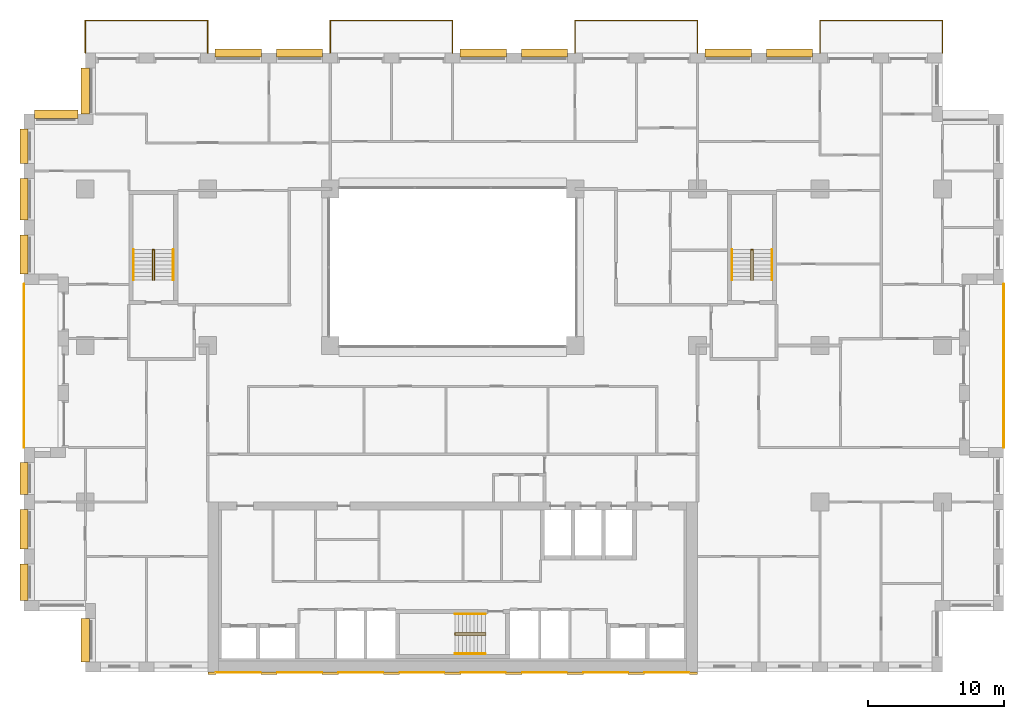
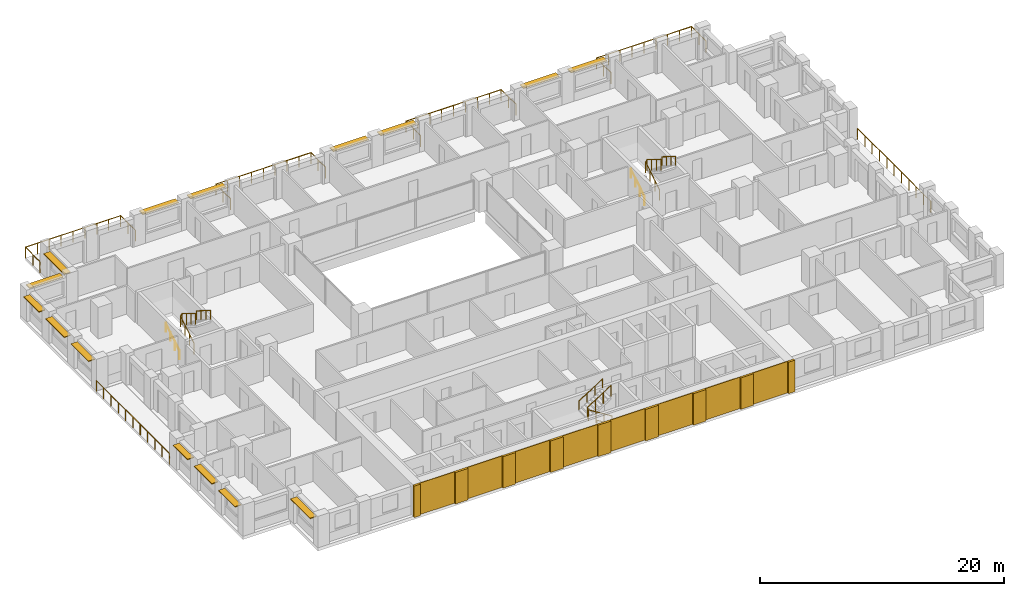
# One storey, part 16 of 17: 17 coverings, 15 railings, 15 shading devices.
"""IFC4 building model written with IfcOpenShell, lengths in metres."""

from ifc_helpers import new_model, si_unit, direction, frame, origin, origin_2d, place, context, subcontext, project, spatial, rectangle, circle, extrude, material, layer, layer_set, type_object, element, save


model = new_model("IFC4")

# Units and contexts
model_context = context("Model", 3, precision=1e-05, world=origin(), true_north=direction((0.0, 1.0)))
body_context = subcontext(model_context, "Body", "Model", "MODEL_VIEW")
ifc_project = project(units=[si_unit("LENGTHUNIT", "METRE"), si_unit("AREAUNIT", "SQUARE_METRE"), si_unit("VOLUMEUNIT", "CUBIC_METRE"), si_unit("PLANEANGLEUNIT", "RADIAN"), si_unit("MASSUNIT", "GRAM", prefix="KILO")], contexts=[model_context])

# Site, building, storey
site_placement = place(None, origin())
site = spatial("IfcSite", under=ifc_project, at=site_placement, CompositionType="ELEMENT")
building_placement = place(site_placement, origin())
building = spatial("IfcBuilding", under=site, at=building_placement, Name="Brigalow Station Residences", CompositionType="ELEMENT")
storey_placement = place(building_placement, frame((0.0, 0.0, 111.89990234375)))
storey = spatial("IfcBuildingStorey", under=building, at=storey_placement, Name="L32", CompositionType="ELEMENT", Elevation=111.89990234375)

# Railings
ifc_material_1 = material(Name="Stainless steel balustrade with laminated glass infill", Category="steel")
railing_type_1 = type_object("IfcRailingType", Name="BALCONY GUARD 1100", PredefinedType="GUARDRAIL", material=ifc_material_1)
railing_1_placement = place(storey_placement, frame((76.5, 16.5, -0.039794921875)))
element("IfcRailing", 1, at=railing_1_placement, inside=storey, type_object=railing_type_1, Name="L32/balcony-guard/1", PredefinedType="GUARDRAIL", context=body_context, shape_type="SweptSolid", body=[
    extrude(circle(Radius=0.02392578125, at=origin_2d()), frame((0.0, 0.0, 1.076171875), z_axis=(0.0, 1.0, 0.0), x_axis=(-1.0, 0.0, 0.0)), (0.0, 0.0, 1.0), 12.0),
    extrude(circle(Radius=0.02099609375, at=origin_2d()), origin(), (0.0, 0.0, 1.0), 1.052001953125),
    extrude(circle(Radius=0.02099609375, at=origin_2d()), frame((0.0, 1.199951171875, 0.0)), (0.0, 0.0, 1.0), 1.052001953125),
    extrude(circle(Radius=0.02099609375, at=origin_2d()), frame((0.0, 2.39990234375, 0.0)), (0.0, 0.0, 1.0), 1.052001953125),
    extrude(circle(Radius=0.02099609375, at=origin_2d()), frame((0.0, 3.60009765625, 0.0)), (0.0, 0.0, 1.0), 1.052001953125),
    extrude(circle(Radius=0.02099609375, at=origin_2d()), frame((0.0, 4.800048828125, 0.0)), (0.0, 0.0, 1.0), 1.052001953125),
    extrude(circle(Radius=0.02099609375, at=origin_2d()), frame((0.0, 6.0, 0.0)), (0.0, 0.0, 1.0), 1.052001953125),
    extrude(circle(Radius=0.02099609375, at=origin_2d()), frame((0.0, 7.199951171875, 0.0)), (0.0, 0.0, 1.0), 1.052001953125),
    extrude(circle(Radius=0.02099609375, at=origin_2d()), frame((0.0, 8.39990234375, 0.0)), (0.0, 0.0, 1.0), 1.052001953125),
    extrude(circle(Radius=0.02099609375, at=origin_2d()), frame((0.0, 9.60009765625, 0.0)), (0.0, 0.0, 1.0), 1.052001953125),
    extrude(circle(Radius=0.02099609375, at=origin_2d()), frame((0.0, 10.800048828125, 0.0)), (0.0, 0.0, 1.0), 1.052001953125),
    extrude(circle(Radius=0.02099609375, at=origin_2d()), frame((0.0, 12.0, 0.0)), (0.0, 0.0, 1.0), 1.052001953125),
])
railing_2_placement = place(storey_placement, frame((72.0, 45.5, -0.039794921875)))
element("IfcRailing", 2, at=railing_2_placement, inside=storey, type_object=railing_type_1, Name="L32/balcony-guard/2", PredefinedType="GUARDRAIL", context=body_context, shape_type="SweptSolid", body=[
    extrude(circle(Radius=0.02392578125, at=origin_2d()), frame((0.0, 0.0, 1.076171875), z_axis=(0.0, 1.0, 0.0), x_axis=(-1.0, 0.0, 0.0)), (0.0, 0.0, 1.0), 2.39990234375),
    extrude(circle(Radius=0.02392578125, at=origin_2d()), frame((0.0, 2.39990234375, 1.076171875), z_axis=(-1.0, 0.0, 0.0), x_axis=(0.0, -1.0, 0.0)), (0.0, 0.0, 1.0), 9.0),
    extrude(circle(Radius=0.02392578125, at=origin_2d()), frame((-9.0, 2.39990234375, 1.076171875), z_axis=(0.0, -1.0, 0.0), x_axis=(1.0, 0.0, 0.0)), (0.0, 0.0, 1.0), 2.39990234375),
    extrude(circle(Radius=0.02099609375, at=origin_2d()), origin(), (0.0, 0.0, 1.0), 1.052001953125),
    extrude(circle(Radius=0.02099609375, at=origin_2d()), frame((0.0, 1.199951171875, 0.0)), (0.0, 0.0, 1.0), 1.052001953125),
    extrude(circle(Radius=0.02099609375, at=origin_2d()), frame((0.0, 2.39990234375, 0.0)), (0.0, 0.0, 1.0), 1.052001953125),
    extrude(circle(Radius=0.02099609375, at=origin_2d()), frame((-1.125, 2.39990234375, 0.0)), (0.0, 0.0, 1.0), 1.052001953125),
    extrude(circle(Radius=0.02099609375, at=origin_2d()), frame((-2.25, 2.39990234375, 0.0)), (0.0, 0.0, 1.0), 1.052001953125),
    extrude(circle(Radius=0.02099609375, at=origin_2d()), frame((-3.375, 2.39990234375, 0.0)), (0.0, 0.0, 1.0), 1.052001953125),
    extrude(circle(Radius=0.02099609375, at=origin_2d()), frame((-4.5, 2.39990234375, 0.0)), (0.0, 0.0, 1.0), 1.052001953125),
    extrude(circle(Radius=0.02099609375, at=origin_2d()), frame((-5.625, 2.39990234375, 0.0)), (0.0, 0.0, 1.0), 1.052001953125),
    extrude(circle(Radius=0.02099609375, at=origin_2d()), frame((-6.75, 2.39990234375, 0.0)), (0.0, 0.0, 1.0), 1.052001953125),
    extrude(circle(Radius=0.02099609375, at=origin_2d()), frame((-7.875, 2.39990234375, 0.0)), (0.0, 0.0, 1.0), 1.052001953125),
    extrude(circle(Radius=0.02099609375, at=origin_2d()), frame((-9.0, 2.39990234375, 0.0)), (0.0, 0.0, 1.0), 1.052001953125),
    extrude(circle(Radius=0.02099609375, at=origin_2d()), frame((-9.0, 1.199951171875, 0.0)), (0.0, 0.0, 1.0), 1.052001953125),
    extrude(circle(Radius=0.02099609375, at=origin_2d()), frame((-9.0, 0.0, 0.0)), (0.0, 0.0, 1.0), 1.052001953125),
])
railing_3_placement = place(storey_placement, frame((54.0, 45.5, -0.039794921875)))
element("IfcRailing", 3, at=railing_3_placement, inside=storey, type_object=railing_type_1, Name="L32/balcony-guard/3", PredefinedType="GUARDRAIL", context=body_context, shape_type="SweptSolid", body=[
    extrude(circle(Radius=0.02392578125, at=origin_2d()), frame((0.0, 0.0, 1.076171875), z_axis=(0.0, 1.0, 0.0), x_axis=(-1.0, 0.0, 0.0)), (0.0, 0.0, 1.0), 2.39990234375),
    extrude(circle(Radius=0.02392578125, at=origin_2d()), frame((0.0, 2.39990234375, 1.076171875), z_axis=(-1.0, 0.0, 0.0), x_axis=(0.0, -1.0, 0.0)), (0.0, 0.0, 1.0), 9.0),
    extrude(circle(Radius=0.02392578125, at=origin_2d()), frame((-9.0, 2.39990234375, 1.076171875), z_axis=(0.0, -1.0, 0.0), x_axis=(1.0, 0.0, 0.0)), (0.0, 0.0, 1.0), 2.39990234375),
    extrude(circle(Radius=0.02099609375, at=origin_2d()), origin(), (0.0, 0.0, 1.0), 1.052001953125),
    extrude(circle(Radius=0.02099609375, at=origin_2d()), frame((0.0, 1.199951171875, 0.0)), (0.0, 0.0, 1.0), 1.052001953125),
    extrude(circle(Radius=0.02099609375, at=origin_2d()), frame((0.0, 2.39990234375, 0.0)), (0.0, 0.0, 1.0), 1.052001953125),
    extrude(circle(Radius=0.02099609375, at=origin_2d()), frame((-1.125, 2.39990234375, 0.0)), (0.0, 0.0, 1.0), 1.052001953125),
    extrude(circle(Radius=0.02099609375, at=origin_2d()), frame((-2.25, 2.39990234375, 0.0)), (0.0, 0.0, 1.0), 1.052001953125),
    extrude(circle(Radius=0.02099609375, at=origin_2d()), frame((-3.375, 2.39990234375, 0.0)), (0.0, 0.0, 1.0), 1.052001953125),
    extrude(circle(Radius=0.02099609375, at=origin_2d()), frame((-4.5, 2.39990234375, 0.0)), (0.0, 0.0, 1.0), 1.052001953125),
    extrude(circle(Radius=0.02099609375, at=origin_2d()), frame((-5.625, 2.39990234375, 0.0)), (0.0, 0.0, 1.0), 1.052001953125),
    extrude(circle(Radius=0.02099609375, at=origin_2d()), frame((-6.75, 2.39990234375, 0.0)), (0.0, 0.0, 1.0), 1.052001953125),
    extrude(circle(Radius=0.02099609375, at=origin_2d()), frame((-7.875, 2.39990234375, 0.0)), (0.0, 0.0, 1.0), 1.052001953125),
    extrude(circle(Radius=0.02099609375, at=origin_2d()), frame((-9.0, 2.39990234375, 0.0)), (0.0, 0.0, 1.0), 1.052001953125),
    extrude(circle(Radius=0.02099609375, at=origin_2d()), frame((-9.0, 1.199951171875, 0.0)), (0.0, 0.0, 1.0), 1.052001953125),
    extrude(circle(Radius=0.02099609375, at=origin_2d()), frame((-9.0, 0.0, 0.0)), (0.0, 0.0, 1.0), 1.052001953125),
])
railing_4_placement = place(storey_placement, frame((36.0, 45.5, -0.039794921875)))
element("IfcRailing", 4, at=railing_4_placement, inside=storey, type_object=railing_type_1, Name="L32/balcony-guard/4", PredefinedType="GUARDRAIL", context=body_context, shape_type="SweptSolid", body=[
    extrude(circle(Radius=0.02392578125, at=origin_2d()), frame((0.0, 0.0, 1.076171875), z_axis=(0.0, 1.0, 0.0), x_axis=(-1.0, 0.0, 0.0)), (0.0, 0.0, 1.0), 2.39990234375),
    extrude(circle(Radius=0.02392578125, at=origin_2d()), frame((0.0, 2.39990234375, 1.076171875), z_axis=(-1.0, 0.0, 0.0), x_axis=(0.0, -1.0, 0.0)), (0.0, 0.0, 1.0), 9.0),
    extrude(circle(Radius=0.02392578125, at=origin_2d()), frame((-9.0, 2.39990234375, 1.076171875), z_axis=(0.0, -1.0, 0.0), x_axis=(1.0, 0.0, 0.0)), (0.0, 0.0, 1.0), 2.39990234375),
    extrude(circle(Radius=0.02099609375, at=origin_2d()), origin(), (0.0, 0.0, 1.0), 1.052001953125),
    extrude(circle(Radius=0.02099609375, at=origin_2d()), frame((0.0, 1.199951171875, 0.0)), (0.0, 0.0, 1.0), 1.052001953125),
    extrude(circle(Radius=0.02099609375, at=origin_2d()), frame((0.0, 2.39990234375, 0.0)), (0.0, 0.0, 1.0), 1.052001953125),
    extrude(circle(Radius=0.02099609375, at=origin_2d()), frame((-1.125, 2.39990234375, 0.0)), (0.0, 0.0, 1.0), 1.052001953125),
    extrude(circle(Radius=0.02099609375, at=origin_2d()), frame((-2.25, 2.39990234375, 0.0)), (0.0, 0.0, 1.0), 1.052001953125),
    extrude(circle(Radius=0.02099609375, at=origin_2d()), frame((-3.375, 2.39990234375, 0.0)), (0.0, 0.0, 1.0), 1.052001953125),
    extrude(circle(Radius=0.02099609375, at=origin_2d()), frame((-4.5, 2.39990234375, 0.0)), (0.0, 0.0, 1.0), 1.052001953125),
    extrude(circle(Radius=0.02099609375, at=origin_2d()), frame((-5.625, 2.39990234375, 0.0)), (0.0, 0.0, 1.0), 1.052001953125),
    extrude(circle(Radius=0.02099609375, at=origin_2d()), frame((-6.75, 2.39990234375, 0.0)), (0.0, 0.0, 1.0), 1.052001953125),
    extrude(circle(Radius=0.02099609375, at=origin_2d()), frame((-7.875, 2.39990234375, 0.0)), (0.0, 0.0, 1.0), 1.052001953125),
    extrude(circle(Radius=0.02099609375, at=origin_2d()), frame((-9.0, 2.39990234375, 0.0)), (0.0, 0.0, 1.0), 1.052001953125),
    extrude(circle(Radius=0.02099609375, at=origin_2d()), frame((-9.0, 1.199951171875, 0.0)), (0.0, 0.0, 1.0), 1.052001953125),
    extrude(circle(Radius=0.02099609375, at=origin_2d()), frame((-9.0, 0.0, 0.0)), (0.0, 0.0, 1.0), 1.052001953125),
])
railing_5_placement = place(storey_placement, frame((18.0, 45.5, -0.039794921875)))
element("IfcRailing", 5, at=railing_5_placement, inside=storey, type_object=railing_type_1, Name="L32/balcony-guard/5", PredefinedType="GUARDRAIL", context=body_context, shape_type="SweptSolid", body=[
    extrude(circle(Radius=0.02392578125, at=origin_2d()), frame((0.0, 0.0, 1.076171875), z_axis=(0.0, 1.0, 0.0), x_axis=(-1.0, 0.0, 0.0)), (0.0, 0.0, 1.0), 2.39990234375),
    extrude(circle(Radius=0.02392578125, at=origin_2d()), frame((0.0, 2.39990234375, 1.076171875), z_axis=(-1.0, 0.0, 0.0), x_axis=(0.0, -1.0, 0.0)), (0.0, 0.0, 1.0), 9.0),
    extrude(circle(Radius=0.02392578125, at=origin_2d()), frame((-9.0, 2.39990234375, 1.076171875), z_axis=(0.0, -1.0, 0.0), x_axis=(1.0, 0.0, 0.0)), (0.0, 0.0, 1.0), 2.39990234375),
    extrude(circle(Radius=0.02099609375, at=origin_2d()), origin(), (0.0, 0.0, 1.0), 1.052001953125),
    extrude(circle(Radius=0.02099609375, at=origin_2d()), frame((0.0, 1.199951171875, 0.0)), (0.0, 0.0, 1.0), 1.052001953125),
    extrude(circle(Radius=0.02099609375, at=origin_2d()), frame((0.0, 2.39990234375, 0.0)), (0.0, 0.0, 1.0), 1.052001953125),
    extrude(circle(Radius=0.02099609375, at=origin_2d()), frame((-1.125, 2.39990234375, 0.0)), (0.0, 0.0, 1.0), 1.052001953125),
    extrude(circle(Radius=0.02099609375, at=origin_2d()), frame((-2.25, 2.39990234375, 0.0)), (0.0, 0.0, 1.0), 1.052001953125),
    extrude(circle(Radius=0.02099609375, at=origin_2d()), frame((-3.375, 2.39990234375, 0.0)), (0.0, 0.0, 1.0), 1.052001953125),
    extrude(circle(Radius=0.02099609375, at=origin_2d()), frame((-4.5, 2.39990234375, 0.0)), (0.0, 0.0, 1.0), 1.052001953125),
    extrude(circle(Radius=0.02099609375, at=origin_2d()), frame((-5.625, 2.39990234375, 0.0)), (0.0, 0.0, 1.0), 1.052001953125),
    extrude(circle(Radius=0.02099609375, at=origin_2d()), frame((-6.75, 2.39990234375, 0.0)), (0.0, 0.0, 1.0), 1.052001953125),
    extrude(circle(Radius=0.02099609375, at=origin_2d()), frame((-7.875, 2.39990234375, 0.0)), (0.0, 0.0, 1.0), 1.052001953125),
    extrude(circle(Radius=0.02099609375, at=origin_2d()), frame((-9.0, 2.39990234375, 0.0)), (0.0, 0.0, 1.0), 1.052001953125),
    extrude(circle(Radius=0.02099609375, at=origin_2d()), frame((-9.0, 1.199951171875, 0.0)), (0.0, 0.0, 1.0), 1.052001953125),
    extrude(circle(Radius=0.02099609375, at=origin_2d()), frame((-9.0, 0.0, 0.0)), (0.0, 0.0, 1.0), 1.052001953125),
])
railing_6_placement = place(storey_placement, frame((4.5, 28.5, -0.039794921875)))
element("IfcRailing", 6, at=railing_6_placement, inside=storey, type_object=railing_type_1, Name="L32/balcony-guard/6", PredefinedType="GUARDRAIL", context=body_context, shape_type="SweptSolid", body=[
    extrude(circle(Radius=0.02392578125, at=origin_2d()), frame((0.0, 0.0, 1.076171875), z_axis=(0.0, -1.0, 0.0), x_axis=(1.0, 0.0, 0.0)), (0.0, 0.0, 1.0), 12.0),
    extrude(circle(Radius=0.02099609375, at=origin_2d()), origin(), (0.0, 0.0, 1.0), 1.052001953125),
    extrude(circle(Radius=0.02099609375, at=origin_2d()), frame((0.0, -1.199951171875, 0.0)), (0.0, 0.0, 1.0), 1.052001953125),
    extrude(circle(Radius=0.02099609375, at=origin_2d()), frame((0.0, -2.39990234375, 0.0)), (0.0, 0.0, 1.0), 1.052001953125),
    extrude(circle(Radius=0.02099609375, at=origin_2d()), frame((0.0, -3.60009765625, 0.0)), (0.0, 0.0, 1.0), 1.052001953125),
    extrude(circle(Radius=0.02099609375, at=origin_2d()), frame((0.0, -4.800048828125, 0.0)), (0.0, 0.0, 1.0), 1.052001953125),
    extrude(circle(Radius=0.02099609375, at=origin_2d()), frame((0.0, -6.0, 0.0)), (0.0, 0.0, 1.0), 1.052001953125),
    extrude(circle(Radius=0.02099609375, at=origin_2d()), frame((0.0, -7.199951171875, 0.0)), (0.0, 0.0, 1.0), 1.052001953125),
    extrude(circle(Radius=0.02099609375, at=origin_2d()), frame((0.0, -8.39990234375, 0.0)), (0.0, 0.0, 1.0), 1.052001953125),
    extrude(circle(Radius=0.02099609375, at=origin_2d()), frame((0.0, -9.60009765625, 0.0)), (0.0, 0.0, 1.0), 1.052001953125),
    extrude(circle(Radius=0.02099609375, at=origin_2d()), frame((0.0, -10.800048828125, 0.0)), (0.0, 0.0, 1.0), 1.052001953125),
    extrude(circle(Radius=0.02099609375, at=origin_2d()), frame((0.0, -12.0, 0.0)), (0.0, 0.0, 1.0), 1.052001953125),
])

# Coverings
ifc_material_2 = material(Name="Clay brick masonry", Category="masonry")
ifc_layer_1 = layer(ifc_material_2, 0.06005859375)
ifc_layer_set_1 = layer_set([ifc_layer_1], Name="BRICK PANEL FACING 60")
covering_type_1 = type_object("IfcCoveringType", Name="BRICK PANEL FACING 60", PredefinedType="CLADDING", material=ifc_layer_set_1)
for number, where, z_axis, x_axis, name in (
    (7, (20.25, -0.030029296875, 0.000244140625), (0.0, 0.0, 1.0), (1.0, 0.0, 0.0), "L32/rear-facing/panel-1"),
    (8, (24.75, -0.030029296875, 0.000244140625), (0.0, 0.0, 1.0), (1.0, 0.0, 0.0), "L32/rear-facing/panel-2"),
    (9, (29.25, -0.030029296875, 0.000244140625), (0.0, 0.0, 1.0), (1.0, 0.0, 0.0), "L32/rear-facing/panel-3"),
    (10, (33.75, -0.030029296875, 0.000244140625), (0.0, 0.0, 1.0), (1.0, 0.0, 0.0), "L32/rear-facing/panel-4"),
    (11, (38.25, -0.030029296875, 0.000244140625), (0.0, 0.0, 1.0), (1.0, 0.0, 0.0), "L32/rear-facing/panel-5"),
    (12, (42.75, -0.030029296875, 0.000244140625), (0.0, 0.0, 1.0), (1.0, 0.0, 0.0), "L32/rear-facing/panel-6"),
    (13, (47.25, -0.030029296875, 0.000244140625), (0.0, 0.0, 1.0), (1.0, 0.0, 0.0), "L32/rear-facing/panel-7"),
    (14, (51.75, -0.030029296875, 0.000244140625), (0.0, 0.0, 1.0), (1.0, 0.0, 0.0), "L32/rear-facing/panel-8"),
):
    element("IfcCovering", number, at=place(storey_placement, frame(where, z_axis=z_axis, x_axis=x_axis)), inside=storey, type_object=covering_type_1, Name=name, PredefinedType="CLADDING", context=body_context, shape_type="SweptSolid", body=[
        extrude(rectangle(XDim=3.300048828125, YDim=0.06005859375, at=origin_2d()), origin(), (0.0, 0.0, 1.0), 3.14990234375),
    ])
ifc_material_3 = material(Name="Clay brick masonry", Category="masonry")
ifc_layer_2 = layer(ifc_material_3, 0.199951171875)
ifc_layer_set_2 = layer_set([ifc_layer_2], Name="BRICK PIER FACING 200")
covering_type_2 = type_object("IfcCoveringType", Name="BRICK PIER FACING 200", PredefinedType="CLADDING", material=ifc_layer_set_2)
covering_1_placement = place(storey_placement, frame((18.300048828125, -0.10009765625, 0.000244140625), z_axis=(0.0, 0.0, 1.0), x_axis=(1.0, 0.0, 0.0)))
element("IfcCovering", 15, at=covering_1_placement, inside=storey, type_object=covering_type_2, Name="L32/rear-facing/pier-1", PredefinedType="CLADDING", context=body_context, shape_type="SweptSolid", body=[
    extrude(rectangle(XDim=0.60009765625, YDim=0.199951171875, at=origin_2d()), origin(), (0.0, 0.0, 1.0), 3.14990234375),
])
for number, where, z_axis, x_axis, name in (
    (16, (22.5, -0.10009765625, 0.000244140625), (0.0, 0.0, 1.0), (1.0, 0.0, 0.0), "L32/rear-facing/pier-2"),
    (17, (27.0, -0.10009765625, 0.000244140625), (0.0, 0.0, 1.0), (1.0, 0.0, 0.0), "L32/rear-facing/pier-3"),
    (18, (31.5, -0.10009765625, 0.000244140625), (0.0, 0.0, 1.0), (1.0, 0.0, 0.0), "L32/rear-facing/pier-4"),
    (19, (36.0, -0.10009765625, 0.000244140625), (0.0, 0.0, 1.0), (1.0, 0.0, 0.0), "L32/rear-facing/pier-5"),
    (20, (40.5, -0.10009765625, 0.000244140625), (0.0, 0.0, 1.0), (1.0, 0.0, 0.0), "L32/rear-facing/pier-6"),
    (21, (45.0, -0.10009765625, 0.000244140625), (0.0, 0.0, 1.0), (1.0, 0.0, 0.0), "L32/rear-facing/pier-7"),
    (22, (49.5, -0.10009765625, 0.000244140625), (0.0, 0.0, 1.0), (1.0, 0.0, 0.0), "L32/rear-facing/pier-8"),
):
    element("IfcCovering", number, at=place(storey_placement, frame(where, z_axis=z_axis, x_axis=x_axis)), inside=storey, type_object=covering_type_2, Name=name, PredefinedType="CLADDING", context=body_context, shape_type="SweptSolid", body=[
        extrude(rectangle(XDim=1.199951171875, YDim=0.199951171875, at=origin_2d()), origin(), (0.0, 0.0, 1.0), 3.14990234375),
    ])
covering_2_placement = place(storey_placement, frame((53.699951171875, -0.10009765625, 0.000244140625), z_axis=(0.0, 0.0, 1.0), x_axis=(1.0, 0.0, 0.0)))
element("IfcCovering", 23, at=covering_2_placement, inside=storey, type_object=covering_type_2, Name="L32/rear-facing/pier-9", PredefinedType="CLADDING", context=body_context, shape_type="SweptSolid", body=[
    extrude(rectangle(XDim=0.60009765625, YDim=0.199951171875, at=origin_2d()), origin(), (0.0, 0.0, 1.0), 3.14990234375),
])

# Railings
ifc_material_4 = material(Name="Stainless steel balustrade", Category="steel")
railing_type_2 = type_object("IfcRailingType", Name="STAIR GUARD 1100", PredefinedType="GUARDRAIL", material=ifc_material_4)
railing_7_placement = place(storey_placement, frame((38.39990234375, 2.72998046875, 0.175048828125)))
element("IfcRailing", 24, at=railing_7_placement, inside=storey, type_object=railing_type_2, Name="GUARD GR-2", PredefinedType="GUARDRAIL", context=body_context, shape_type="SweptSolid", body=[
    extrude(circle(Radius=0.02392578125, at=origin_2d()), frame((0.0, 0.0, 1.076171875), z_axis=(-0.847972341737, 0.0, 0.530040477369), x_axis=(0.0, -1.0, 0.0)), (0.0, 0.0, 1.0), 2.6416015625),
    extrude(circle(Radius=0.02392578125, at=origin_2d()), frame((-2.239990234375, 0.0, 2.47607421875), z_axis=(0.0, 0.62549206879, 0.780230524833), x_axis=(-1.0, 0.0, 0.0)), (0.0, 0.0, 1.0), 0.22412109375),
    extrude(circle(Radius=0.02392578125, at=origin_2d()), frame((-2.239990234375, 0.14013671875, 2.65087890625), z_axis=(0.847972341737, 0.0, 0.530040477369), x_axis=(0.0, 1.0, 0.0)), (0.0, 0.0, 1.0), 2.6416015625),
    extrude(circle(Radius=0.02099609375, at=origin_2d()), origin(), (0.0, 0.0, 1.0), 1.052001953125),
    extrude(circle(Radius=0.02099609375, at=origin_2d()), frame((-0.74658203125, 0.0, 0.466796875)), (0.0, 0.0, 1.0), 1.052001953125),
    extrude(circle(Radius=0.02099609375, at=origin_2d()), frame((-1.493408203125, 0.0, 0.933349609375)), (0.0, 0.0, 1.0), 1.052001953125),
    extrude(circle(Radius=0.02099609375, at=origin_2d()), frame((-2.239990234375, 0.0, 1.400146484375)), (0.0, 0.0, 1.0), 1.052001953125),
    extrude(circle(Radius=0.02099609375, at=origin_2d()), frame((-2.239990234375, 0.14013671875, 1.574951171875)), (0.0, 0.0, 1.0), 1.052001953125),
    extrude(circle(Radius=0.02099609375, at=origin_2d()), frame((-1.493408203125, 0.14013671875, 2.041748046875)), (0.0, 0.0, 1.0), 1.052001953125),
    extrude(circle(Radius=0.02099609375, at=origin_2d()), frame((-0.74658203125, 0.14013671875, 2.50830078125)), (0.0, 0.0, 1.0), 1.052001953125),
    extrude(circle(Radius=0.02099609375, at=origin_2d()), frame((0.0, 0.14013671875, 2.97509765625)), (0.0, 0.0, 1.0), 1.052001953125),
])
for number, where, name in (
    (25, (13.929931640625, 28.800048828125, 0.175048828125), "GUARD GR-1"),
    (26, (57.929931640625, 28.800048828125, 0.175048828125), "GUARD GR-3"),
):
    element("IfcRailing", number, at=place(storey_placement, frame(where)), inside=storey, type_object=railing_type_2, Name=name, PredefinedType="GUARDRAIL", context=body_context, shape_type="SweptSolid", body=[
        extrude(circle(Radius=0.02392578125, at=origin_2d()), frame((0.0, 0.0, 1.076171875), z_axis=(0.0, 0.847972341737, 0.530040477369), x_axis=(-1.0, 0.0, 0.0)), (0.0, 0.0, 1.0), 2.6416015625),
        extrude(circle(Radius=0.02392578125, at=origin_2d()), frame((0.0, 2.239990234375, 2.47607421875), z_axis=(0.62549206879, 0.0, 0.780230524833), x_axis=(0.0, 1.0, 0.0)), (0.0, 0.0, 1.0), 0.22412109375),
        extrude(circle(Radius=0.02392578125, at=origin_2d()), frame((0.14013671875, 2.239990234375, 2.65087890625), z_axis=(0.0, -0.847972341737, 0.530040477369), x_axis=(1.0, 0.0, 0.0)), (0.0, 0.0, 1.0), 2.6416015625),
        extrude(circle(Radius=0.02099609375, at=origin_2d()), origin(), (0.0, 0.0, 1.0), 1.052001953125),
        extrude(circle(Radius=0.02099609375, at=origin_2d()), frame((0.0, 0.74658203125, 0.466796875)), (0.0, 0.0, 1.0), 1.052001953125),
        extrude(circle(Radius=0.02099609375, at=origin_2d()), frame((0.0, 1.493408203125, 0.933349609375)), (0.0, 0.0, 1.0), 1.052001953125),
        extrude(circle(Radius=0.02099609375, at=origin_2d()), frame((0.0, 2.239990234375, 1.400146484375)), (0.0, 0.0, 1.0), 1.052001953125),
        extrude(circle(Radius=0.02099609375, at=origin_2d()), frame((0.14013671875, 2.239990234375, 1.574951171875)), (0.0, 0.0, 1.0), 1.052001953125),
        extrude(circle(Radius=0.02099609375, at=origin_2d()), frame((0.14013671875, 1.493408203125, 2.041748046875)), (0.0, 0.0, 1.0), 1.052001953125),
        extrude(circle(Radius=0.02099609375, at=origin_2d()), frame((0.14013671875, 0.74658203125, 2.50830078125)), (0.0, 0.0, 1.0), 1.052001953125),
        extrude(circle(Radius=0.02099609375, at=origin_2d()), frame((0.14013671875, 0.0, 2.97509765625)), (0.0, 0.0, 1.0), 1.052001953125),
    ])
ifc_material_5 = material(Name="Stainless steel handrail", Category="steel")
railing_type_3 = type_object("IfcRailingType", Name="STAIR HANDRAIL 900", PredefinedType="HANDRAIL", material=ifc_material_5)
railing_8_placement = place(storey_placement, frame((38.39990234375, 1.340087890625, 0.175048828125)))
element("IfcRailing", 27, at=railing_8_placement, inside=storey, type_object=railing_type_3, Name="HANDRAIL HR-21", PredefinedType="HANDRAIL", context=body_context, shape_type="SweptSolid", body=[
    extrude(circle(Radius=0.02392578125, at=origin_2d()), frame((0.0, 0.0, 0.8759765625), z_axis=(-0.847972341737, 0.0, 0.530040477369), x_axis=(0.0, -1.0, 0.0)), (0.0, 0.0, 1.0), 2.6416015625),
    extrude(circle(Radius=0.02099609375, at=origin_2d()), origin(), (0.0, 0.0, 1.0), 0.851806640625),
    extrude(circle(Radius=0.02099609375, at=origin_2d()), frame((-0.74658203125, 0.0, 0.466796875)), (0.0, 0.0, 1.0), 0.851806640625),
    extrude(circle(Radius=0.02099609375, at=origin_2d()), frame((-1.493408203125, 0.0, 0.933349609375)), (0.0, 0.0, 1.0), 0.851806640625),
    extrude(circle(Radius=0.02099609375, at=origin_2d()), frame((-2.239990234375, 0.0, 1.400146484375)), (0.0, 0.0, 1.0), 0.851806640625),
])
railing_9_placement = place(storey_placement, frame((36.159912109375, 4.260009765625, 1.75)))
element("IfcRailing", 28, at=railing_9_placement, inside=storey, type_object=railing_type_3, Name="HANDRAIL HR-22", PredefinedType="HANDRAIL", context=body_context, shape_type="SweptSolid", body=[
    extrude(circle(Radius=0.02392578125, at=origin_2d()), frame((0.0, 0.0, 0.8759765625), z_axis=(0.847972341737, 0.0, 0.530040477369), x_axis=(0.0, 1.0, 0.0)), (0.0, 0.0, 1.0), 2.6416015625),
    extrude(circle(Radius=0.02099609375, at=origin_2d()), origin(), (0.0, 0.0, 1.0), 0.851806640625),
    extrude(circle(Radius=0.02099609375, at=origin_2d()), frame((0.74658203125, 0.0, 0.466796875)), (0.0, 0.0, 1.0), 0.851806640625),
    extrude(circle(Radius=0.02099609375, at=origin_2d()), frame((1.493408203125, 0.0, 0.933349609375)), (0.0, 0.0, 1.0), 0.851806640625),
    extrude(circle(Radius=0.02099609375, at=origin_2d()), frame((2.239990234375, 0.0, 1.400146484375)), (0.0, 0.0, 1.0), 0.851806640625),
])
railing_10_placement = place(storey_placement, frame((12.5400390625, 28.800048828125, 0.175048828125)))
element("IfcRailing", 29, at=railing_10_placement, inside=storey, type_object=railing_type_3, Name="HANDRAIL HR-11", PredefinedType="HANDRAIL", context=body_context, shape_type="SweptSolid", body=[
    extrude(circle(Radius=0.02392578125, at=origin_2d()), frame((0.0, 0.0, 0.8759765625), z_axis=(0.0, 0.847972341737, 0.530040477369), x_axis=(-1.0, 0.0, 0.0)), (0.0, 0.0, 1.0), 2.6416015625),
    extrude(circle(Radius=0.02099609375, at=origin_2d()), origin(), (0.0, 0.0, 1.0), 0.851806640625),
    extrude(circle(Radius=0.02099609375, at=origin_2d()), frame((0.0, 0.74658203125, 0.466796875)), (0.0, 0.0, 1.0), 0.851806640625),
    extrude(circle(Radius=0.02099609375, at=origin_2d()), frame((0.0, 1.493408203125, 0.933349609375)), (0.0, 0.0, 1.0), 0.851806640625),
    extrude(circle(Radius=0.02099609375, at=origin_2d()), frame((0.0, 2.239990234375, 1.400146484375)), (0.0, 0.0, 1.0), 0.851806640625),
])
railing_11_placement = place(storey_placement, frame((15.4599609375, 31.0400390625, 1.75)))
element("IfcRailing", 30, at=railing_11_placement, inside=storey, type_object=railing_type_3, Name="HANDRAIL HR-12", PredefinedType="HANDRAIL", context=body_context, shape_type="SweptSolid", body=[
    extrude(circle(Radius=0.02392578125, at=origin_2d()), frame((0.0, 0.0, 0.8759765625), z_axis=(0.0, -0.847972341737, 0.530040477369), x_axis=(1.0, 0.0, 0.0)), (0.0, 0.0, 1.0), 2.6416015625),
    extrude(circle(Radius=0.02099609375, at=origin_2d()), origin(), (0.0, 0.0, 1.0), 0.851806640625),
    extrude(circle(Radius=0.02099609375, at=origin_2d()), frame((0.0, -0.74658203125, 0.466796875)), (0.0, 0.0, 1.0), 0.851806640625),
    extrude(circle(Radius=0.02099609375, at=origin_2d()), frame((0.0, -1.493408203125, 0.933349609375)), (0.0, 0.0, 1.0), 0.851806640625),
    extrude(circle(Radius=0.02099609375, at=origin_2d()), frame((0.0, -2.239990234375, 1.400146484375)), (0.0, 0.0, 1.0), 0.851806640625),
])
railing_12_placement = place(storey_placement, frame((56.5400390625, 28.800048828125, 0.175048828125)))
element("IfcRailing", 31, at=railing_12_placement, inside=storey, type_object=railing_type_3, Name="HANDRAIL HR-31", PredefinedType="HANDRAIL", context=body_context, shape_type="SweptSolid", body=[
    extrude(circle(Radius=0.02392578125, at=origin_2d()), frame((0.0, 0.0, 0.8759765625), z_axis=(0.0, 0.847972341737, 0.530040477369), x_axis=(-1.0, 0.0, 0.0)), (0.0, 0.0, 1.0), 2.6416015625),
    extrude(circle(Radius=0.02099609375, at=origin_2d()), origin(), (0.0, 0.0, 1.0), 0.851806640625),
    extrude(circle(Radius=0.02099609375, at=origin_2d()), frame((0.0, 0.74658203125, 0.466796875)), (0.0, 0.0, 1.0), 0.851806640625),
    extrude(circle(Radius=0.02099609375, at=origin_2d()), frame((0.0, 1.493408203125, 0.933349609375)), (0.0, 0.0, 1.0), 0.851806640625),
    extrude(circle(Radius=0.02099609375, at=origin_2d()), frame((0.0, 2.239990234375, 1.400146484375)), (0.0, 0.0, 1.0), 0.851806640625),
])
railing_13_placement = place(storey_placement, frame((59.4599609375, 31.0400390625, 1.75)))
element("IfcRailing", 32, at=railing_13_placement, inside=storey, type_object=railing_type_3, Name="HANDRAIL HR-32", PredefinedType="HANDRAIL", context=body_context, shape_type="SweptSolid", body=[
    extrude(circle(Radius=0.02392578125, at=origin_2d()), frame((0.0, 0.0, 0.8759765625), z_axis=(0.0, -0.847972341737, 0.530040477369), x_axis=(1.0, 0.0, 0.0)), (0.0, 0.0, 1.0), 2.6416015625),
    extrude(circle(Radius=0.02099609375, at=origin_2d()), origin(), (0.0, 0.0, 1.0), 0.851806640625),
    extrude(circle(Radius=0.02099609375, at=origin_2d()), frame((0.0, -0.74658203125, 0.466796875)), (0.0, 0.0, 1.0), 0.851806640625),
    extrude(circle(Radius=0.02099609375, at=origin_2d()), frame((0.0, -1.493408203125, 0.933349609375)), (0.0, 0.0, 1.0), 0.851806640625),
    extrude(circle(Radius=0.02099609375, at=origin_2d()), frame((0.0, -2.239990234375, 1.400146484375)), (0.0, 0.0, 1.0), 0.851806640625),
])

# Shading devices
ifc_material_6 = material(Name="Powder-coated extruded aluminium blade", Category="aluminium")
ifc_layer_3 = layer(ifc_material_6, 0.080078125)
ifc_layer_set_3 = layer_set([ifc_layer_3], Name="SUNSHADE BLADE 600x80")
shading_device_type = type_object("IfcShadingDeviceType", Name="SUNSHADE BLADE 600x80", PredefinedType="JALOUSIE", material=ifc_layer_set_3)
for number, where, z_axis, x_axis, name in (
    (33, (60.75, 45.5, 2.550048828125), (0.0, 0.0, 1.0), (-1.0, 0.0, 0.0), "L32/blade/W-L32-25"),
    (34, (56.25, 45.5, 2.550048828125), (0.0, 0.0, 1.0), (-1.0, 0.0, 0.0), "L32/blade/W-L32-26"),
    (35, (42.75, 45.5, 2.550048828125), (0.0, 0.0, 1.0), (-1.0, 0.0, 0.0), "L32/blade/W-L32-29"),
    (36, (38.25, 45.5, 2.550048828125), (0.0, 0.0, 1.0), (-1.0, 0.0, 0.0), "L32/blade/W-L32-30"),
    (37, (24.75, 45.5, 2.550048828125), (0.0, 0.0, 1.0), (-1.0, 0.0, 0.0), "L32/blade/W-L32-33"),
    (38, (20.25, 45.5, 2.550048828125), (0.0, 0.0, 1.0), (-1.0, 0.0, 0.0), "L32/blade/W-L32-34"),
    (39, (9.0, 42.699951171875, 2.550048828125), (0.0, 0.0, 1.0), (0.0, -1.0, 0.0), "L32/blade/W-L32-37"),
):
    element("IfcShadingDevice", number, at=place(storey_placement, frame(where, z_axis=z_axis, x_axis=x_axis)), inside=storey, type_object=shading_device_type, Name=name, PredefinedType="JALOUSIE", context=body_context, shape_type="SweptSolid", body=[
        extrude(rectangle(XDim=3.39990234375, YDim=0.60009765625, at=origin_2d()), origin(), (0.0, 0.0, 1.0), 0.080078125),
    ])
shading_device_1_placement = place(storey_placement, frame((6.85009765625, 41.0, 2.550048828125), z_axis=(0.0, 0.0, 1.0), x_axis=(-1.0, 0.0, 0.0)))
element("IfcShadingDevice", 40, at=shading_device_1_placement, inside=storey, type_object=shading_device_type, Name="L32/blade/W-L32-38", PredefinedType="JALOUSIE", context=body_context, shape_type="SweptSolid", body=[
    extrude(rectangle(XDim=3.199951171875, YDim=0.60009765625, at=origin_2d()), origin(), (0.0, 0.0, 1.0), 0.080078125),
])
shading_device_2_placement = place(storey_placement, frame((4.5, 38.6416015625, 2.550048828125), z_axis=(0.0, 0.0, 1.0), x_axis=(0.0, -1.0, 0.0)))
element("IfcShadingDevice", 41, at=shading_device_2_placement, inside=storey, type_object=shading_device_type, Name="L32/blade/W-L32-39", PredefinedType="JALOUSIE", context=body_context, shape_type="SweptSolid", body=[
    extrude(rectangle(XDim=2.51708984375, YDim=0.60009765625, at=origin_2d()), origin(), (0.0, 0.0, 1.0), 0.080078125),
])
shading_device_3_placement = place(storey_placement, frame((4.5, 34.75, 2.550048828125), z_axis=(0.0, 0.0, 1.0), x_axis=(0.0, -1.0, 0.0)))
element("IfcShadingDevice", 42, at=shading_device_3_placement, inside=storey, type_object=shading_device_type, Name="L32/blade/W-L32-40", PredefinedType="JALOUSIE", context=body_context, shape_type="SweptSolid", body=[
    extrude(rectangle(XDim=3.06591796875, YDim=0.60009765625, at=origin_2d()), origin(), (0.0, 0.0, 1.0), 0.080078125),
])
shading_device_4_placement = place(storey_placement, frame((4.5, 30.68359375, 2.550048828125), z_axis=(0.0, 0.0, 1.0), x_axis=(0.0, -1.0, 0.0)))
element("IfcShadingDevice", 43, at=shading_device_4_placement, inside=storey, type_object=shading_device_type, Name="L32/blade/W-L32-41", PredefinedType="JALOUSIE", context=body_context, shape_type="SweptSolid", body=[
    extrude(rectangle(XDim=2.866943359375, YDim=0.60009765625, at=origin_2d()), origin(), (0.0, 0.0, 1.0), 0.080078125),
])
shading_device_5_placement = place(storey_placement, frame((4.5, 14.22509765625, 2.550048828125), z_axis=(0.0, 0.0, 1.0), x_axis=(0.0, -1.0, 0.0)))
element("IfcShadingDevice", 44, at=shading_device_5_placement, inside=storey, type_object=shading_device_type, Name="L32/blade/W-L32-47", PredefinedType="JALOUSIE", context=body_context, shape_type="SweptSolid", body=[
    extrude(rectangle(XDim=2.35009765625, YDim=0.60009765625, at=origin_2d()), origin(), (0.0, 0.0, 1.0), 0.080078125),
])
shading_device_6_placement = place(storey_placement, frame((4.5, 10.5, 2.550048828125), z_axis=(0.0, 0.0, 1.0), x_axis=(0.0, -1.0, 0.0)))
element("IfcShadingDevice", 45, at=shading_device_6_placement, inside=storey, type_object=shading_device_type, Name="L32/blade/W-L32-48", PredefinedType="JALOUSIE", context=body_context, shape_type="SweptSolid", body=[
    extrude(rectangle(XDim=2.89990234375, YDim=0.60009765625, at=origin_2d()), origin(), (0.0, 0.0, 1.0), 0.080078125),
])
shading_device_7_placement = place(storey_placement, frame((4.5, 6.60009765625, 2.550048828125), z_axis=(0.0, 0.0, 1.0), x_axis=(0.0, -1.0, 0.0)))
element("IfcShadingDevice", 46, at=shading_device_7_placement, inside=storey, type_object=shading_device_type, Name="L32/blade/W-L32-49", PredefinedType="JALOUSIE", context=body_context, shape_type="SweptSolid", body=[
    extrude(rectangle(XDim=2.699951171875, YDim=0.60009765625, at=origin_2d()), origin(), (0.0, 0.0, 1.0), 0.080078125),
])
shading_device_8_placement = place(storey_placement, frame((9.0, 2.35009765625, 2.550048828125), z_axis=(0.0, 0.0, 1.0), x_axis=(0.0, -1.0, 0.0)))
element("IfcShadingDevice", 47, at=shading_device_8_placement, inside=storey, type_object=shading_device_type, Name="L32/blade/W-L32-51", PredefinedType="JALOUSIE", context=body_context, shape_type="SweptSolid", body=[
    extrude(rectangle(XDim=3.199951171875, YDim=0.60009765625, at=origin_2d()), origin(), (0.0, 0.0, 1.0), 0.080078125),
])

save(model, "model.ifc")
